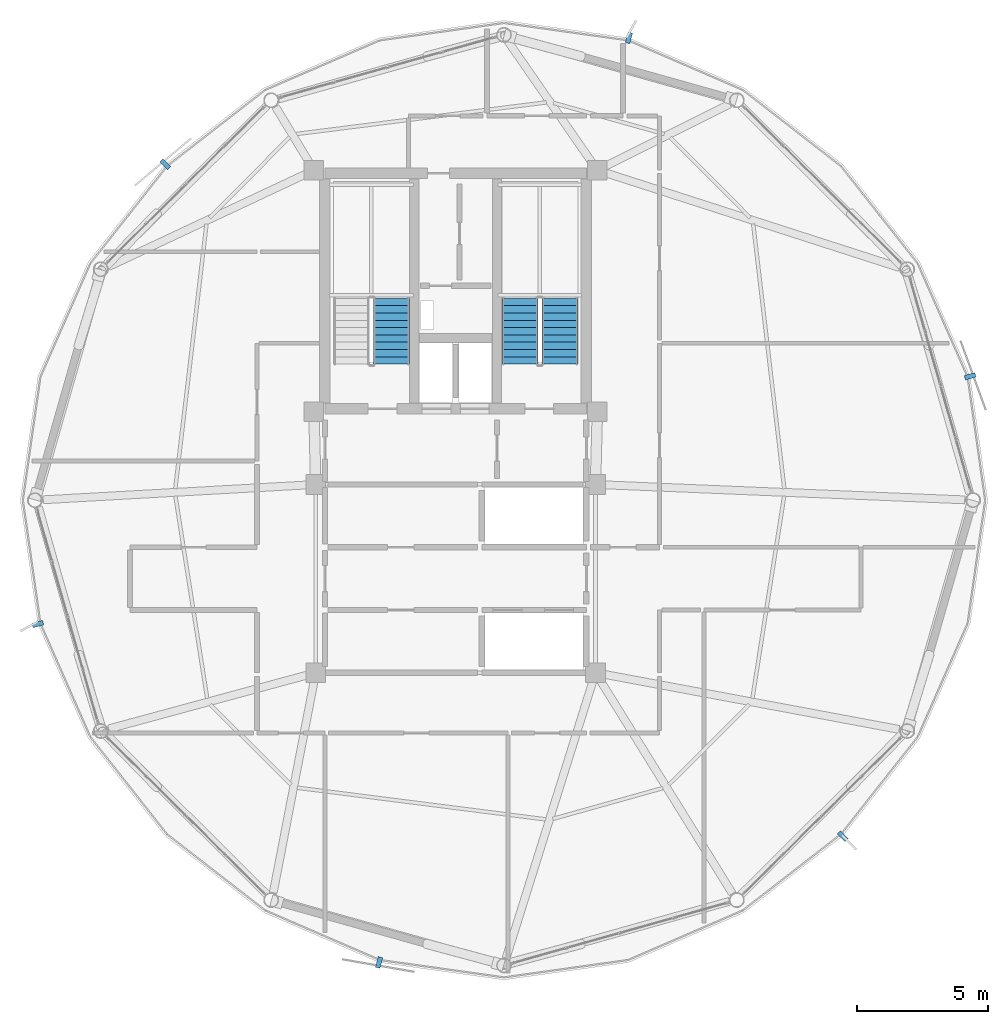
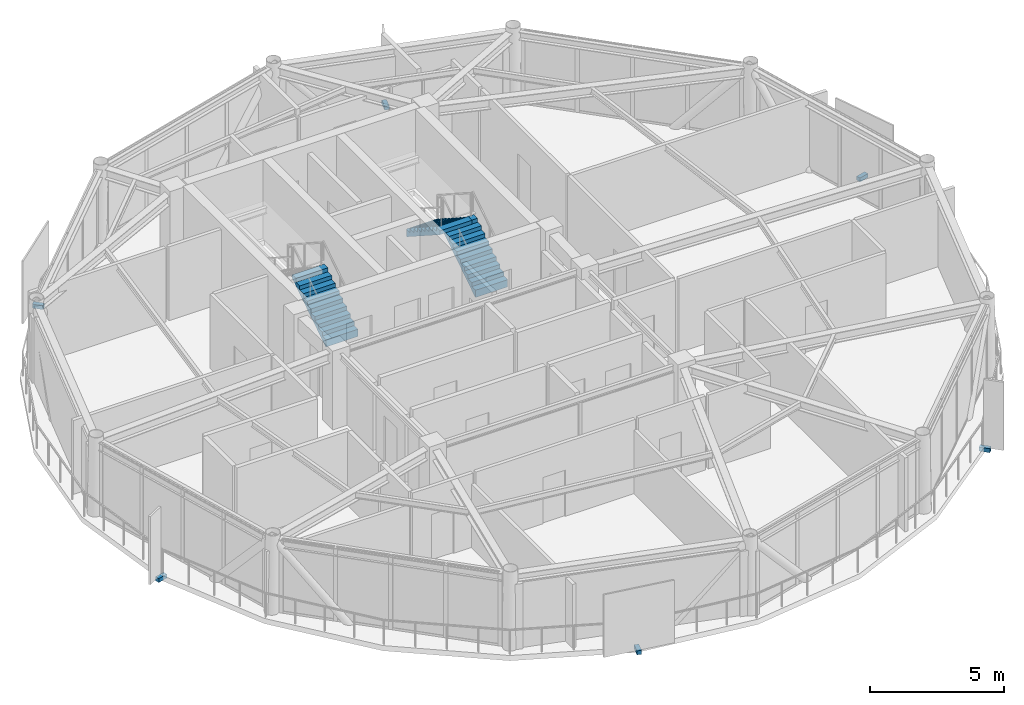
# One storey, part 21 of 25: 6 discrete accessories, 3 stair flights, 2 elements without a shape of their own.
"""IFC4 building model written with IfcOpenShell, lengths in metres."""

from ifc_helpers import new_model, si_unit, direction, frame, origin, origin_2d, place, context, subcontext, project, spatial, polyline, rectangle, outline, extrude, source, transform, mapped, material, type_object, type_shapes, element, aggregate, save


model = new_model("IFC4")

# Units and contexts
model_context = context("Model", 3, precision=1e-05, world=origin(), true_north=direction((0.0, 1.0)))
body_context = subcontext(model_context, "Body", "Model", "MODEL_VIEW")
ifc_project = project(units=[si_unit("LENGTHUNIT", "METRE"), si_unit("AREAUNIT", "SQUARE_METRE"), si_unit("VOLUMEUNIT", "CUBIC_METRE"), si_unit("PLANEANGLEUNIT", "RADIAN"), si_unit("MASSUNIT", "GRAM", prefix="KILO")], contexts=[model_context])

# Site, building, storey
site_placement = place(None, origin())
site = spatial("IfcSite", under=ifc_project, at=site_placement, CompositionType="ELEMENT")
building_placement = place(site_placement, origin())
building = spatial("IfcBuilding", under=site, at=building_placement, Name="Varnakorn Sky Granary", CompositionType="ELEMENT")
storey_placement = place(building_placement, frame((0.0, 0.0, 277.800048828125)))
storey = spatial("IfcBuildingStorey", under=building, at=storey_placement, Name="L71", CompositionType="ELEMENT", Elevation=277.800048828125)

# Stair, stair flight
ifc_material_1 = material(Name="Concrete C40/50", Category="concrete")
stair_type = type_object("IfcStairType", Name="ST-MAIN-ASSEMBLY", PredefinedType="HALF_TURN_STAIR", material=ifc_material_1)
stair_1_placement = place(storey_placement, origin())
stair_1 = element("IfcStair", 1, at=stair_1_placement, inside=storey, type_object=stair_type, Name="L71 Protected Exit Stair ST-1", PredefinedType="HALF_TURN_STAIR")
stair_flight_type = type_object("IfcStairFlightType", Name="ST-MAIN-FLIGHT", PredefinedType="STRAIGHT", material=ifc_material_1)
stair_flight_1_placement = place(storey_placement, frame((0.550048828125, 5.199951171875, 0.0), z_axis=(0.0, 0.0, 1.0), x_axis=(0.0, 1.0, 0.0)))
stair_flight_1 = element("IfcStairFlight", 2, at=stair_flight_1_placement, type_object=stair_flight_type, Name="ST-1 flight 1", NumberOfRisers=10, NumberOfTreads=9, PredefinedType="STRAIGHT", RiserHeight=0.18, TreadLength=0.28, context=body_context, shape_type="SweptSolid", body=[
    extrude(outline(polyline([(0.0, -0.14990234375), (0.0, 0.0), (0.0, 0.179931640625), (0.280029296875, 0.179931640625), (0.280029296875, 0.360107421875), (0.56005859375, 0.360107421875), (0.56005859375, 0.5400390625), (0.840087890625, 0.5400390625), (0.840087890625, 0.719970703125), (1.1201171875, 0.719970703125), (1.1201171875, 0.89990234375), (1.39990234375, 0.89990234375), (1.39990234375, 1.080078125), (1.679931640625, 1.080078125), (1.679931640625, 1.260009765625), (1.9599609375, 1.260009765625), (1.9599609375, 1.43994140625), (2.239990234375, 1.43994140625), (2.239990234375, 1.6201171875), (2.52001953125, 1.6201171875), (2.52001953125, 1.800048828125), (2.52001953125, 1.44189453125), (0.050048828125, -0.14990234375), (0.0, -0.14990234375)])), frame((0.0, 0.68994140625, 0.0), z_axis=(0.0, -1.0, 0.0), x_axis=(1.0, 0.0, 0.0)), (0.0, 0.0, 1.0), 1.3798828125),
])
aggregate(stair_1, [stair_flight_1])

# Stair, stair flights
stair_2_placement = place(storey_placement, origin())
stair_2 = element("IfcStair", 3, at=stair_2_placement, inside=storey, type_object=stair_type, Name="L71 Protected Exit Stair ST-2", PredefinedType="HALF_TURN_STAIR")
stair_flight_2_placement = place(storey_placement, frame((6.989990234375, 5.199951171875, 0.0), z_axis=(0.0, 0.0, 1.0), x_axis=(0.0, 1.0, 0.0)))
stair_flight_2 = element("IfcStairFlight", 4, at=stair_flight_2_placement, type_object=stair_flight_type, Name="ST-2 flight 1", NumberOfRisers=10, NumberOfTreads=9, PredefinedType="STRAIGHT", RiserHeight=0.18, TreadLength=0.28, context=body_context, shape_type="SweptSolid", body=[
    extrude(outline(polyline([(0.0, -0.14990234375), (0.0, 0.0), (0.0, 0.179931640625), (0.280029296875, 0.179931640625), (0.280029296875, 0.360107421875), (0.56005859375, 0.360107421875), (0.56005859375, 0.5400390625), (0.840087890625, 0.5400390625), (0.840087890625, 0.719970703125), (1.1201171875, 0.719970703125), (1.1201171875, 0.89990234375), (1.39990234375, 0.89990234375), (1.39990234375, 1.080078125), (1.679931640625, 1.080078125), (1.679931640625, 1.260009765625), (1.9599609375, 1.260009765625), (1.9599609375, 1.43994140625), (2.239990234375, 1.43994140625), (2.239990234375, 1.6201171875), (2.52001953125, 1.6201171875), (2.52001953125, 1.800048828125), (2.52001953125, 1.44189453125), (0.050048828125, -0.14990234375), (0.0, -0.14990234375)])), frame((0.0, 0.68994140625, 0.0), z_axis=(0.0, -1.0, 0.0), x_axis=(1.0, 0.0, 0.0)), (0.0, 0.0, 1.0), 1.3798828125),
])
stair_flight_3_placement = place(storey_placement, frame((5.4599609375, 7.719970703125, 1.800048828125), z_axis=(0.0, 0.0, 1.0), x_axis=(0.0, -1.0, 0.0)))
stair_flight_3 = element("IfcStairFlight", 5, at=stair_flight_3_placement, type_object=stair_flight_type, Name="ST-2 flight 2", NumberOfRisers=10, NumberOfTreads=9, PredefinedType="STRAIGHT", RiserHeight=0.18, TreadLength=0.28, context=body_context, shape_type="SweptSolid", body=[
    extrude(outline(polyline([(0.0, -0.14990234375), (0.0, 0.0), (0.0, 0.179931640625), (0.280029296875, 0.179931640625), (0.280029296875, 0.360107421875), (0.56005859375, 0.360107421875), (0.56005859375, 0.5400390625), (0.840087890625, 0.5400390625), (0.840087890625, 0.719970703125), (1.1201171875, 0.719970703125), (1.1201171875, 0.89990234375), (1.39990234375, 0.89990234375), (1.39990234375, 1.080078125), (1.679931640625, 1.080078125), (1.679931640625, 1.260009765625), (1.9599609375, 1.260009765625), (1.9599609375, 1.43994140625), (2.239990234375, 1.43994140625), (2.239990234375, 1.6201171875), (2.52001953125, 1.6201171875), (2.52001953125, 1.800048828125), (2.52001953125, 1.44189453125), (0.050048828125, -0.14990234375), (0.0, -0.14990234375)])), frame((0.0, 0.68994140625, 0.0), z_axis=(0.0, -1.0, 0.0), x_axis=(1.0, 0.0, 0.0)), (0.0, 0.0, 1.0), 1.3798828125),
])
aggregate(stair_2, [stair_flight_2, stair_flight_3])

# Discrete accessories
ifc_material_2 = material(Name="Steel S355JR", Category="steel")
discrete_accessory_type = type_object("IfcDiscreteAccessoryType", Name="AC-BRK-01", PredefinedType="BRACKET", material=ifc_material_2)
shared_shape = source(origin(), body_context, "Body", "SweptSolid", [
    extrude(rectangle(XDim=0.179931640625, YDim=0.419921875, at=origin_2d()), origin(), (0.0, 0.0, 1.0), 0.179931640625),
])
type_shapes(discrete_accessory_type, [shared_shape])
for number, where, z_axis, x_axis, name in (
    (6, (22.67919921875, 4.73779296875, -0.2001953125), (0.0, 0.0, 1.0), (-0.25682748829, 0.966457263027, 0.0), "Facade Solar-Screen Outrigger Bracket L71-01"),
    (7, (9.62744140625, 17.68310546875, -0.2001953125), (0.0, 0.0, 1.0), (-0.965387181063, 0.260820993477, 0.0), "Facade Solar-Screen Outrigger Bracket L71-03"),
    (8, (-8.106689453125, 12.84912109375, -0.2001953125), (0.0, 0.0, 1.0), (-0.704154875197, -0.710046415198, 0.0), "Facade Solar-Screen Outrigger Bracket L71-05"),
    (9, (-12.97900390625, -4.73779296875, -0.2001953125), (0.0, 0.0, 1.0), (0.25682748829, -0.966457263027, 0.0), "Facade Solar-Screen Outrigger Bracket L71-07"),
    (10, (0.072509765625, -17.68310546875, -0.2001953125), (0.0, 0.0, 1.0), (0.965387181063, -0.260820993477, 0.0), "Facade Solar-Screen Outrigger Bracket L71-09"),
    (11, (17.806640625, -12.84912109375, -0.2001953125), (0.0, 0.0, 1.0), (0.704154875197, 0.710046415198, 0.0), "Facade Solar-Screen Outrigger Bracket L71-11"),
):
    element("IfcDiscreteAccessory", number, at=place(storey_placement, frame(where, z_axis=z_axis, x_axis=x_axis)), inside=storey, type_object=discrete_accessory_type, Name=name, PredefinedType="BRACKET", context=body_context, shape_type="MappedRepresentation", body=[
        mapped(shared_shape, transform((0.0, 0.0, 0.0), x_axis=(1.0, 0.0, 0.0), y_axis=(0.0, 1.0, 0.0), z_axis=(0.0, 0.0, 1.0), scale=1.0)),
    ])

save(model, "model.ifc")
